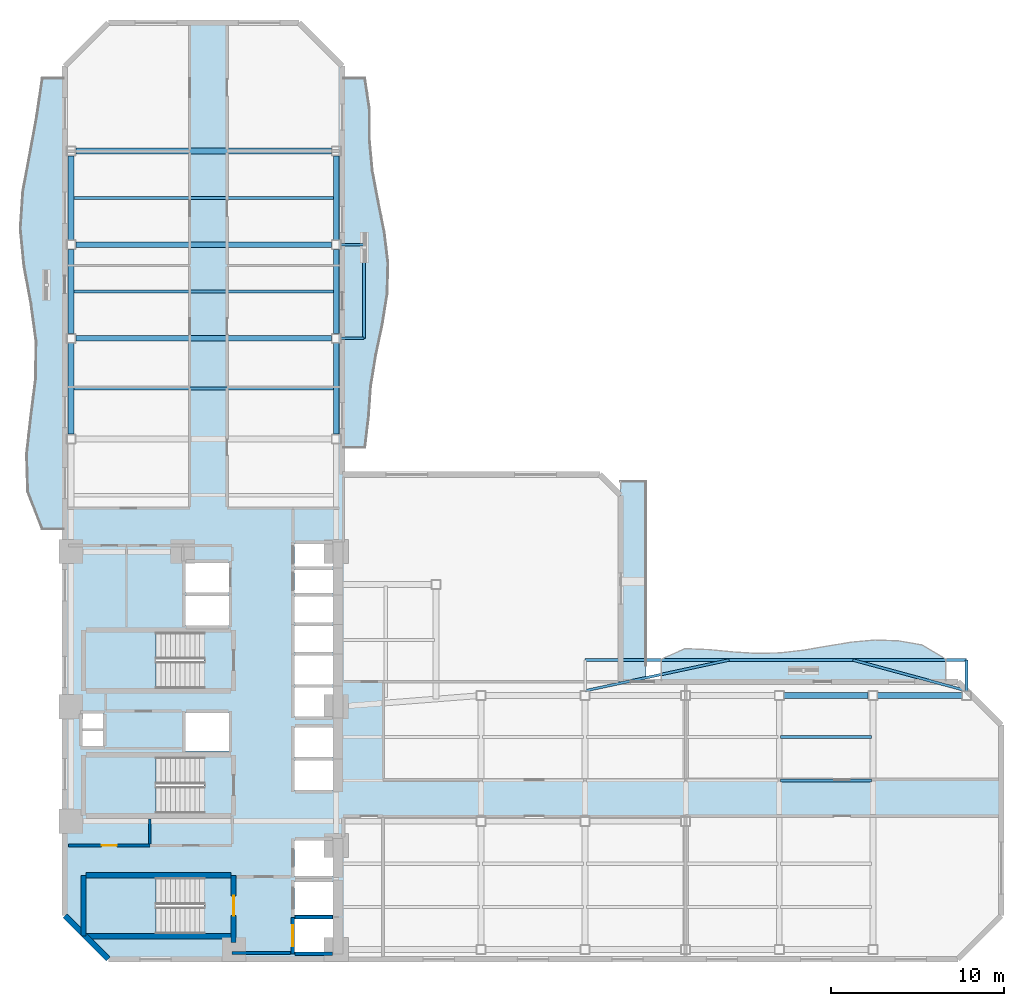
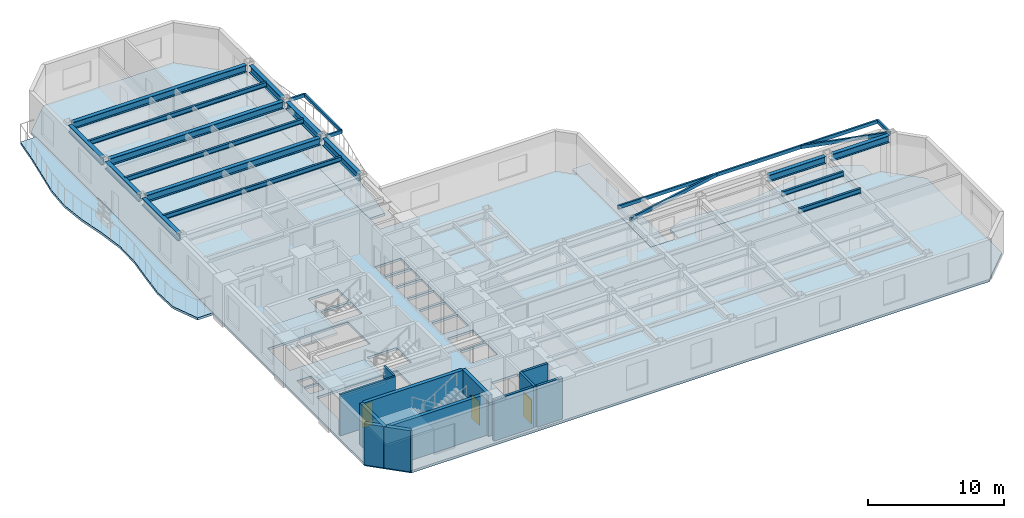
# One storey, part 2 of 10: 23 beams, 11 walls, 8 slabs, 3 doors, 3 openings, 3 elements without a shape of their own.
"""IFC4 building model written with IfcOpenShell, lengths in metres."""

from ifc_helpers import new_model, si_unit, direction, frame, frame_2d, origin, origin_2d, place, context, subcontext, project, spatial, polyline, rectangle, hollow_rectangle, i_section, outline, extrude, material, layer, layer_set, material_profile, profile_set, type_object, element, fill, aggregate, save


model = new_model("IFC4")

# Units and contexts
model_context = context("Model", 3, precision=1e-05, world=origin(), true_north=direction((0.0, 1.0)))
body_context = subcontext(model_context, "Body", "Model", "MODEL_VIEW")
ifc_project = project(units=[si_unit("LENGTHUNIT", "METRE"), si_unit("AREAUNIT", "SQUARE_METRE"), si_unit("VOLUMEUNIT", "CUBIC_METRE"), si_unit("PLANEANGLEUNIT", "RADIAN"), si_unit("MASSUNIT", "GRAM", prefix="KILO")], contexts=[model_context])

# Site, building, storey
site_placement = place(None, origin())
site = spatial("IfcSite", under=ifc_project, at=site_placement, CompositionType="ELEMENT")
building_placement = place(site_placement, origin())
building = spatial("IfcBuilding", under=site, at=building_placement, Name="Mawjaban Terraces University", CompositionType="ELEMENT")
storey_placement = place(building_placement, frame((0.0, 0.0, 42.699951171875)))
storey = spatial("IfcBuildingStorey", under=building, at=storey_placement, Name="L09", CompositionType="ELEMENT", Elevation=42.699951171875)

# Beams
ifc_material_1 = material(Name="Steel EN 10210-1 S355J2H", Category="steel")
ifc_material_profile_1 = material_profile(ifc_material_1, hollow_rectangle(XDim=0.14990234375, YDim=0.300048828125, WallThickness=0.012451171875, at=origin_2d()), Name="RHS300X150X12.5")
ifc_profile_set_1 = profile_set([ifc_material_profile_1], Name="Steel EN 10210-1 S355J2H")
beam_type_1 = type_object("IfcBeamType", Name="BalconyCantileverSpandrel_RHS", PredefinedType="SPANDREL", material=ifc_profile_set_1)
beam_1_placement = place(storey_placement, frame((74.0, 15.47509765625, 3.5400390625), z_axis=(0.0, 1.0, 0.0), x_axis=(-1.0, 0.0, 0.0)))
element("IfcBeam", 1, at=beam_1_placement, inside=storey, type_object=beam_type_1, Name="L09 Exterior Outrigger BAL-L10-N.2", PredefinedType="SPANDREL", context=body_context, shape_type="SweptSolid", body=[
    extrude(hollow_rectangle(XDim=0.14990234375, YDim=0.300048828125, WallThickness=0.012451171875, at=origin_2d()), origin(), (0.0, 0.0, 1.0), 1.77490234375),
])
beam_2_placement = place(storey_placement, frame((52.0, 17.25, 3.5400390625), z_axis=(1.0, 0.0, 0.0), x_axis=(0.0, 1.0, 0.0)))
element("IfcBeam", 2, at=beam_2_placement, inside=storey, type_object=beam_type_1, Name="L09 Exterior Edge Spandrel BAL-L10-N", PredefinedType="SPANDREL", context=body_context, shape_type="SweptSolid", body=[
    extrude(hollow_rectangle(XDim=0.14990234375, YDim=0.300048828125, WallThickness=0.012451171875, at=origin_2d()), origin(), (0.0, 0.0, 1.0), 22.0),
])
beam_3_placement = place(storey_placement, frame((52.0, 15.47509765625, 3.5400390625), z_axis=(0.977916279172, 0.208997011776, 0.0), x_axis=(-0.208997011776, 0.977916279172, 0.0)))
element("IfcBeam", 3, at=beam_3_placement, inside=storey, type_object=beam_type_1, Name="L09 Exterior Diagonal Strut BAL-L10-N.1", PredefinedType="SPANDREL", context=body_context, shape_type="SweptSolid", body=[
    extrude(hollow_rectangle(XDim=0.14990234375, YDim=0.300048828125, WallThickness=0.012451171875, at=origin_2d()), origin(), (0.0, 0.0, 1.0), 8.492431640625),
])
beam_4_placement = place(storey_placement, frame((74.0, 15.47509765625, 3.5400390625), z_axis=(-0.965240922253, 0.261361745494, 0.0), x_axis=(-0.261361745494, -0.965240922253, 0.0)))
element("IfcBeam", 4, at=beam_4_placement, inside=storey, type_object=beam_type_1, Name="L09 Exterior Diagonal Strut BAL-L10-N.2", PredefinedType="SPANDREL", context=body_context, shape_type="SweptSolid", body=[
    extrude(hollow_rectangle(XDim=0.14990234375, YDim=0.300048828125, WallThickness=0.012451171875, at=origin_2d()), origin(), (0.0, 0.0, 1.0), 6.791015625),
])
for number, where, z_axis, x_axis, name in (
    (5, (37.925048828125, 35.800048828125, 3.5400390625), (1.0, 0.0, 0.0), (0.0, 1.0, 0.0), "L09 Exterior Outrigger BAL-L10-E.1"),
    (6, (37.925048828125, 41.199951171875, 3.5400390625), (1.0, 0.0, 0.0), (0.0, 1.0, 0.0), "L09 Exterior Outrigger BAL-L10-E.2"),
):
    element("IfcBeam", number, at=place(storey_placement, frame(where, z_axis=z_axis, x_axis=x_axis)), inside=storey, type_object=beam_type_1, Name=name, PredefinedType="SPANDREL", context=body_context, shape_type="SweptSolid", body=[
        extrude(hollow_rectangle(XDim=0.14990234375, YDim=0.300048828125, WallThickness=0.012451171875, at=origin_2d()), origin(), (0.0, 0.0, 1.0), 1.324951171875),
    ])
beam_5_placement = place(storey_placement, frame((39.25, 35.800048828125, 3.5400390625), z_axis=(0.0, 1.0, 0.0), x_axis=(-1.0, 0.0, 0.0)))
element("IfcBeam", 7, at=beam_5_placement, inside=storey, type_object=beam_type_1, Name="L09 Exterior Edge Spandrel BAL-L10-E", PredefinedType="SPANDREL", context=body_context, shape_type="SweptSolid", body=[
    extrude(hollow_rectangle(XDim=0.14990234375, YDim=0.300048828125, WallThickness=0.012451171875, at=origin_2d()), origin(), (0.0, 0.0, 1.0), 5.39990234375),
])
ifc_material_2 = material(Name="Steel ASTM A572 Grade 50", Category="steel")
ifc_material_profile_2 = material_profile(ifc_material_2, i_section(OverallWidth=0.3291015625, OverallDepth=0.635009765625, WebThickness=0.017822265625, FlangeThickness=0.031005859375, at=origin_2d()), Name="W610X241")
ifc_profile_set_2 = profile_set([ifc_material_profile_2], Name="Steel ASTM A572 Grade 50")
beam_type_2 = type_object("IfcBeamType", Name="Beam_B_W610X241", PredefinedType="BEAM", material=ifc_profile_set_2)
beam_6_placement = place(storey_placement, frame((63.47509765625, 15.199951171875, 3.3720703125), z_axis=(1.0, 0.0, 0.0), x_axis=(0.0, 1.0, 0.0)))
element("IfcBeam", 8, at=beam_6_placement, inside=storey, type_object=beam_type_2, Name="L09 Beam BM-L09-EW-12", PredefinedType="BEAM", context=body_context, shape_type="SweptSolid", body=[
    extrude(i_section(OverallWidth=0.3291015625, OverallDepth=0.635009765625, WebThickness=0.017822265625, FlangeThickness=0.031005859375, at=origin_2d()), origin(), (0.0, 0.0, 1.0), 4.849853515625),
])
beam_7_placement = place(storey_placement, frame((68.875, 15.199951171875, 3.3720703125), z_axis=(1.0, 0.0, 0.0), x_axis=(0.0, 1.0, 0.0)))
element("IfcBeam", 9, at=beam_7_placement, inside=storey, type_object=beam_type_2, Name="L09 Beam BM-L09-EW-13", PredefinedType="BEAM", context=body_context, shape_type="SweptSolid", body=[
    extrude(i_section(OverallWidth=0.3291015625, OverallDepth=0.635009765625, WebThickness=0.017822265625, FlangeThickness=0.031005859375, at=origin_2d()), origin(), (0.0, 0.0, 1.0), 4.85009765625),
])
for number, where, z_axis, x_axis, name in (
    (10, (22.625, 35.800048828125, 3.3720703125), (1.0, 0.0, 0.0), (0.0, 1.0, 0.0), "L09 Beam BM-L09-EW-16"),
    (11, (22.625, 41.199951171875, 3.3720703125), (1.0, 0.0, 0.0), (0.0, 1.0, 0.0), "L09 Beam BM-L09-EW-17"),
    (12, (22.625, 46.60009765625, 3.3720703125), (1.0, 0.0, 0.0), (0.0, 1.0, 0.0), "L09 Beam BM-L09-EW-18"),
):
    element("IfcBeam", number, at=place(storey_placement, frame(where, z_axis=z_axis, x_axis=x_axis)), inside=storey, type_object=beam_type_2, Name=name, PredefinedType="BEAM", context=body_context, shape_type="SweptSolid", body=[
        extrude(i_section(OverallWidth=0.3291015625, OverallDepth=0.635009765625, WebThickness=0.017822265625, FlangeThickness=0.031005859375, at=origin_2d()), origin(), (0.0, 0.0, 1.0), 14.75),
    ])
beam_8_placement = place(storey_placement, frame((22.35009765625, 30.27490234375, 3.3720703125), z_axis=(0.0, 1.0, 0.0), x_axis=(-1.0, 0.0, 0.0)))
element("IfcBeam", 13, at=beam_8_placement, inside=storey, type_object=beam_type_2, Name="L09 Beam BM-L09-NS-04", PredefinedType="BEAM", context=body_context, shape_type="SweptSolid", body=[
    extrude(i_section(OverallWidth=0.3291015625, OverallDepth=0.635009765625, WebThickness=0.017822265625, FlangeThickness=0.031005859375, at=origin_2d()), origin(), (0.0, 0.0, 1.0), 5.25),
])
beam_9_placement = place(storey_placement, frame((22.35009765625, 36.074951171875, 3.3720703125), z_axis=(0.0, 1.0, 0.0), x_axis=(-1.0, 0.0, 0.0)))
element("IfcBeam", 14, at=beam_9_placement, inside=storey, type_object=beam_type_2, Name="L09 Beam BM-L09-NS-05", PredefinedType="BEAM", context=body_context, shape_type="SweptSolid", body=[
    extrude(i_section(OverallWidth=0.3291015625, OverallDepth=0.635009765625, WebThickness=0.017822265625, FlangeThickness=0.031005859375, at=origin_2d()), origin(), (0.0, 0.0, 1.0), 4.85009765625),
])
beam_10_placement = place(storey_placement, frame((22.35009765625, 41.47509765625, 3.3720703125), z_axis=(0.0, 1.0, 0.0), x_axis=(-1.0, 0.0, 0.0)))
element("IfcBeam", 15, at=beam_10_placement, inside=storey, type_object=beam_type_2, Name="L09 Beam BM-L09-NS-06", PredefinedType="BEAM", context=body_context, shape_type="SweptSolid", body=[
    extrude(i_section(OverallWidth=0.3291015625, OverallDepth=0.635009765625, WebThickness=0.017822265625, FlangeThickness=0.031005859375, at=origin_2d()), origin(), (0.0, 0.0, 1.0), 4.849853515625),
])
beam_11_placement = place(storey_placement, frame((37.64990234375, 30.27490234375, 3.3720703125), z_axis=(0.0, 1.0, 0.0), x_axis=(-1.0, 0.0, 0.0)))
element("IfcBeam", 16, at=beam_11_placement, inside=storey, type_object=beam_type_2, Name="L09 Beam BM-L09-NS-11", PredefinedType="BEAM", context=body_context, shape_type="SweptSolid", body=[
    extrude(i_section(OverallWidth=0.3291015625, OverallDepth=0.635009765625, WebThickness=0.017822265625, FlangeThickness=0.031005859375, at=origin_2d()), origin(), (0.0, 0.0, 1.0), 5.25),
])
beam_12_placement = place(storey_placement, frame((37.64990234375, 36.074951171875, 3.3720703125), z_axis=(0.0, 1.0, 0.0), x_axis=(-1.0, 0.0, 0.0)))
element("IfcBeam", 17, at=beam_12_placement, inside=storey, type_object=beam_type_2, Name="L09 Beam BM-L09-NS-12", PredefinedType="BEAM", context=body_context, shape_type="SweptSolid", body=[
    extrude(i_section(OverallWidth=0.3291015625, OverallDepth=0.635009765625, WebThickness=0.017822265625, FlangeThickness=0.031005859375, at=origin_2d()), origin(), (0.0, 0.0, 1.0), 4.85009765625),
])
beam_13_placement = place(storey_placement, frame((37.64990234375, 41.47509765625, 3.3720703125), z_axis=(0.0, 1.0, 0.0), x_axis=(-1.0, 0.0, 0.0)))
element("IfcBeam", 18, at=beam_13_placement, inside=storey, type_object=beam_type_2, Name="L09 Beam BM-L09-NS-13", PredefinedType="BEAM", context=body_context, shape_type="SweptSolid", body=[
    extrude(i_section(OverallWidth=0.3291015625, OverallDepth=0.635009765625, WebThickness=0.017822265625, FlangeThickness=0.031005859375, at=origin_2d()), origin(), (0.0, 0.0, 1.0), 4.849853515625),
])
ifc_material_profile_3 = material_profile(ifc_material_2, i_section(OverallWidth=0.179931640625, OverallDepth=0.4130859375, WebThickness=0.009765625, FlangeThickness=0.01611328125, at=origin_2d()), Name="W410X74")
ifc_profile_set_3 = profile_set([ifc_material_profile_3], Name="Steel ASTM A572 Grade 50")
beam_type_3 = type_object("IfcBeamType", Name="Beam_J_W410X74", PredefinedType="JOIST", material=ifc_profile_set_3)
for number, where, z_axis, x_axis, name in (
    (19, (63.280029296875, 10.300048828125, 3.484130859375), (1.0, 0.0, 0.0), (0.0, 1.0, 0.0), "L09 Composite Joist JST-L09-15"),
    (20, (63.280029296875, 12.800048828125, 3.484130859375), (1.0, 0.0, 0.0), (0.0, 1.0, 0.0), "L09 Composite Joist JST-L09-20"),
):
    element("IfcBeam", number, at=place(storey_placement, frame(where, z_axis=z_axis, x_axis=x_axis)), inside=storey, type_object=beam_type_3, Name=name, PredefinedType="JOIST", context=body_context, shape_type="SweptSolid", body=[
        extrude(i_section(OverallWidth=0.179931640625, OverallDepth=0.4130859375, WebThickness=0.009765625, FlangeThickness=0.01611328125, at=origin_2d()), origin(), (0.0, 0.0, 1.0), 5.239990234375),
    ])
for number, where, z_axis, x_axis, name in (
    (21, (22.429931640625, 32.89990234375, 3.484130859375), (1.0, 0.0, 0.0), (0.0, 1.0, 0.0), "L09 Composite Joist JST-L09-23"),
    (22, (22.429931640625, 38.5, 3.484130859375), (1.0, 0.0, 0.0), (0.0, 1.0, 0.0), "L09 Composite Joist JST-L09-24"),
    (23, (22.429931640625, 43.89990234375, 3.484130859375), (1.0, 0.0, 0.0), (0.0, 1.0, 0.0), "L09 Composite Joist JST-L09-25"),
):
    element("IfcBeam", number, at=place(storey_placement, frame(where, z_axis=z_axis, x_axis=x_axis)), inside=storey, type_object=beam_type_3, Name=name, PredefinedType="JOIST", context=body_context, shape_type="SweptSolid", body=[
        extrude(i_section(OverallWidth=0.179931640625, OverallDepth=0.4130859375, WebThickness=0.009765625, FlangeThickness=0.01611328125, at=origin_2d()), origin(), (0.0, 0.0, 1.0), 15.14013671875),
    ])

# Slabs
ifc_material_3 = material(Name="Concrete C40/50", Category="concrete")
ifc_layer_1 = layer(ifc_material_3, 0.2099609375)
ifc_layer_set_1 = layer_set([ifc_layer_1], Name="Concrete C40/50")
slab_type_1 = type_object("IfcSlabType", Name="BalconySlab_210_Ext", PredefinedType="FLOOR", material=ifc_layer_set_1)
slab_1_placement = place(storey_placement, frame((0.0, 0.0, -0.2099609375)))
element("IfcSlab", 24, at=slab_1_placement, inside=storey, type_object=slab_type_1, Name="L09 Planted Balcony Slab west", PredefinedType="FLOOR", context=body_context, shape_type="SweptSolid", body=[
    extrude(outline(polyline([(22.010009765625, 24.800048828125), (22.010009765625, 50.800048828125), (20.699951171875, 50.800048828125), (20.382080078125, 48.633056640625), (19.986083984375, 46.467041015625), (19.580078125, 44.300048828125), (19.43310546875, 42.133056640625), (19.64501953125, 39.967041015625), (20.050048828125, 37.800048828125), (20.340087890625, 35.633056640625), (20.31494140625, 33.467041015625), (20.0400390625, 31.300048828125), (19.7958984375, 29.133056640625), (19.860107421875, 26.967041015625), (20.699951171875, 24.800048828125), (22.010009765625, 24.800048828125)])), origin(), (0.0, 0.0, 1.0), 0.2099609375),
])
slab_2_placement = place(storey_placement, frame((0.0, 0.0, -0.2099609375)))
element("IfcSlab", 25, at=slab_2_placement, inside=storey, type_object=slab_type_1, Name="L09 Planted Balcony Slab inner_north", PredefinedType="FLOOR", context=body_context, shape_type="SweptSolid", body=[
    extrude(outline(polyline([(56.39990234375, 15.989990234375), (72.800048828125, 15.989990234375), (72.800048828125, 17.300048828125), (71.43310546875, 18.115966796875), (70.06689453125, 18.35595703125), (68.699951171875, 18.39990234375), (67.3330078125, 18.27490234375), (65.967041015625, 18.049072265625), (64.60009765625, 17.81494140625), (63.23291015625, 17.659912109375), (61.866943359375, 17.631103515625), (60.5, 17.718017578125), (59.133056640625, 17.84912109375), (57.76708984375, 17.903076171875), (56.39990234375, 17.300048828125), (56.39990234375, 15.989990234375)])), origin(), (0.0, 0.0, 1.0), 0.2099609375),
])
slab_3_placement = place(storey_placement, frame((0.0, 0.0, -0.2099609375)))
element("IfcSlab", 26, at=slab_3_placement, inside=storey, type_object=slab_type_1, Name="L09 Planted Balcony Slab inner_east", PredefinedType="FLOOR", context=body_context, shape_type="SweptSolid", body=[
    extrude(outline(polyline([(39.300048828125, 29.5), (39.511962890625, 31.27490234375), (39.635986328125, 33.050048828125), (39.929931640625, 34.824951171875), (40.303955078125, 36.60009765625), (40.5859375, 38.375), (40.634033203125, 40.14990234375), (40.424072265625, 41.925048828125), (40.06494140625, 43.699951171875), (39.73291015625, 45.47509765625), (39.56689453125, 47.25), (39.56494140625, 49.02490234375), (39.300048828125, 50.800048828125), (37.989990234375, 50.800048828125), (37.989990234375, 29.5), (39.300048828125, 29.5)])), origin(), (0.0, 0.0, 1.0), 0.2099609375),
])
ifc_layer_2 = layer(ifc_material_3, 0.2099609375)
ifc_layer_set_2 = layer_set([ifc_layer_2], Name="Concrete C40/50")
slab_type_2 = type_object("IfcSlabType", Name="CompositeSlab_210", PredefinedType="FLOOR", material=ifc_layer_set_2)
slab_4_placement = place(storey_placement, frame((0.0, 0.0, -0.2099609375)))
element("IfcSlab", 27, at=slab_4_placement, inside=storey, type_object=slab_type_2, Name="L09 Primary Structural Slab", PredefinedType="FLOOR", context=body_context, shape_type="SweptSolid", body=[
    extrude(outline(polyline([(24.5, 0.0), (73.5, 0.0), (76.0, 2.5), (76.0, 13.5), (73.5, 16.0), (54.050048828125, 16.0), (54.050048828125, 26.7470703125), (52.85009765625, 27.947021484375), (38.0, 27.947021484375), (38.0, 51.5), (35.5, 54.0), (24.5, 54.0), (22.0, 51.5), (22.0, 2.5), (24.5, 0.0)]), holes=[polyline([(30.014892578125, 4.699951171875), (23.199951171875, 4.699951171875), (23.199951171875, 1.449951171875), (30.014892578125, 1.449951171875), (30.014892578125, 4.699951171875)]), polyline([(30.014892578125, 18.85009765625), (23.199951171875, 18.85009765625), (23.199951171875, 15.60009765625), (30.014892578125, 15.60009765625), (30.014892578125, 18.85009765625)]), polyline([(30.014892578125, 11.64990234375), (23.199951171875, 11.64990234375), (23.199951171875, 8.39990234375), (30.014892578125, 8.39990234375), (30.014892578125, 11.64990234375)]), polyline([(35.25, 0.39990234375), (37.449951171875, 0.39990234375), (37.449951171875, 2.300048828125), (35.25, 2.300048828125), (35.25, 0.39990234375)]), polyline([(35.25, 2.550048828125), (37.449951171875, 2.550048828125), (37.449951171875, 4.449951171875), (35.25, 4.449951171875), (35.25, 2.550048828125)]), polyline([(35.25, 4.800048828125), (37.449951171875, 4.800048828125), (37.449951171875, 6.85009765625), (35.25, 6.85009765625), (35.25, 4.800048828125)]), polyline([(35.25, 9.75), (37.449951171875, 9.75), (37.449951171875, 11.449951171875), (35.25, 11.449951171875), (35.25, 9.75)]), polyline([(35.25, 11.64990234375), (37.449951171875, 11.64990234375), (37.449951171875, 13.35009765625), (35.25, 13.35009765625), (35.25, 11.64990234375)]), polyline([(28.949951171875, 12.0), (31.449951171875, 12.0), (31.449951171875, 14.199951171875), (28.949951171875, 14.199951171875), (28.949951171875, 12.0)]), polyline([(35.25, 14.0), (37.449951171875, 14.0), (37.449951171875, 15.64990234375), (35.25, 15.64990234375), (35.25, 14.0)]), polyline([(35.25, 15.85009765625), (37.449951171875, 15.85009765625), (37.449951171875, 17.5), (35.25, 17.5), (35.25, 15.85009765625)]), polyline([(35.25, 17.699951171875), (37.449951171875, 17.699951171875), (37.449951171875, 19.199951171875), (35.25, 19.199951171875), (35.25, 17.699951171875)]), polyline([(35.25, 19.39990234375), (37.449951171875, 19.39990234375), (37.449951171875, 20.89990234375), (35.25, 20.89990234375), (35.25, 19.39990234375)]), polyline([(28.949951171875, 19.25), (31.449951171875, 19.25), (31.449951171875, 20.949951171875), (28.949951171875, 20.949951171875), (28.949951171875, 19.25)]), polyline([(35.25, 21.10009765625), (37.449951171875, 21.10009765625), (37.449951171875, 22.449951171875), (35.25, 22.449951171875), (35.25, 21.10009765625)]), polyline([(35.25, 22.64990234375), (37.449951171875, 22.64990234375), (37.449951171875, 23.949951171875), (35.25, 23.949951171875), (35.25, 22.64990234375)]), polyline([(28.949951171875, 21.14990234375), (31.449951171875, 21.14990234375), (31.449951171875, 22.85009765625), (28.949951171875, 22.85009765625), (28.949951171875, 21.14990234375)]), polyline([(23.0, 12.25), (24.199951171875, 12.25), (24.199951171875, 13.14990234375), (23.0, 13.14990234375), (23.0, 12.25)]), polyline([(23.0, 13.300048828125), (24.199951171875, 13.300048828125), (24.199951171875, 14.179931640625), (23.0, 14.179931640625), (23.0, 13.300048828125)])]), origin(), (0.0, 0.0, 1.0), 0.2099609375),
])

# Stair, slab
stair_type = type_object("IfcStairType", Name="Stair_Core1550_H39", PredefinedType="HALF_TURN_STAIR", material=ifc_material_3)
stair_1_placement = place(storey_placement, origin())
stair_1 = element("IfcStair", 28, at=stair_1_placement, inside=storey, type_object=stair_type, Name="L09 Core Exit Stair 1", PredefinedType="HALF_TURN_STAIR")
ifc_layer_3 = layer(ifc_material_3, 0.199951171875)
ifc_layer_set_3 = layer_set([ifc_layer_3], Name="Concrete C40/50")
slab_type_3 = type_object("IfcSlabType", Name="StairLandingSlab_200", PredefinedType="LANDING", material=ifc_layer_set_3)
slab_5_placement = place(storey_placement, frame((0.0, 0.0, 1.75)))
slab_5 = element("IfcSlab", 29, at=slab_5_placement, type_object=slab_type_3, Name="ST-1 landing 1", PredefinedType="LANDING", context=body_context, shape_type="SweptSolid", body=[
    extrude(outline(polyline([(27.25, 4.699951171875), (23.199951171875, 4.699951171875), (23.199951171875, 1.449951171875), (27.25, 1.449951171875), (27.25, 4.699951171875)])), origin(), (0.0, 0.0, 1.0), 0.199951171875),
])
aggregate(stair_1, [slab_5])

stair_2_placement = place(storey_placement, origin())
stair_2 = element("IfcStair", 30, at=stair_2_placement, inside=storey, type_object=stair_type, Name="L09 Core Exit Stair 2", PredefinedType="HALF_TURN_STAIR")
slab_6_placement = place(storey_placement, frame((0.0, 0.0, 1.75)))
slab_6 = element("IfcSlab", 31, at=slab_6_placement, type_object=slab_type_3, Name="ST-2 landing 1", PredefinedType="LANDING", context=body_context, shape_type="SweptSolid", body=[
    extrude(outline(polyline([(27.25, 18.85009765625), (23.199951171875, 18.85009765625), (23.199951171875, 15.60009765625), (27.25, 15.60009765625), (27.25, 18.85009765625)])), origin(), (0.0, 0.0, 1.0), 0.199951171875),
])
aggregate(stair_2, [slab_6])

stair_3_placement = place(storey_placement, origin())
stair_3 = element("IfcStair", 32, at=stair_3_placement, inside=storey, type_object=stair_type, Name="L09 Core Exit Stair 3", PredefinedType="HALF_TURN_STAIR")
slab_7_placement = place(storey_placement, frame((0.0, 0.0, 1.75)))
slab_7 = element("IfcSlab", 33, at=slab_7_placement, type_object=slab_type_3, Name="ST-3 landing 1", PredefinedType="LANDING", context=body_context, shape_type="SweptSolid", body=[
    extrude(outline(polyline([(27.25, 11.64990234375), (23.199951171875, 11.64990234375), (23.199951171875, 8.39990234375), (27.25, 8.39990234375), (27.25, 11.64990234375)])), origin(), (0.0, 0.0, 1.0), 0.199951171875),
])
aggregate(stair_3, [slab_7])

# Slab
ifc_layer_4 = layer(ifc_material_3, 0.2099609375)
ifc_layer_set_4 = layer_set([ifc_layer_4], Name="Concrete C40/50")
slab_type_4 = type_object("IfcSlabType", Name="StudyTerraceSlab_210_Ext", PredefinedType="FLOOR", material=ifc_layer_set_4)
slab_8_placement = place(storey_placement, frame((0.0, 0.0, -0.2099609375)))
element("IfcSlab", 34, at=slab_8_placement, inside=storey, type_object=slab_type_4, Name="L09 Exterior Study Terrace Slab", PredefinedType="FLOOR", context=body_context, shape_type="SweptSolid", body=[
    extrude(outline(polyline([(54.050048828125, 16.0), (55.5, 16.0), (55.5, 27.547119140625), (54.050048828125, 27.547119140625), (54.050048828125, 16.0)])), origin(), (0.0, 0.0, 1.0), 0.2099609375),
])

# Wall, opening, door
ifc_material_4 = material(Name="Fire-rated gypsum board on steel stud", Category="steel")
ifc_layer_5 = layer(ifc_material_4, 0.159912109375)
ifc_layer_set_5 = layer_set([ifc_layer_5], Name="Fire-rated gypsum board on steel stud")
wall_type_1 = type_object("IfcWallType", Name="CorridorPartition_160", PredefinedType="PARTITIONING", material=ifc_layer_set_5)
wall_1_placement = place(storey_placement, frame((26.89990234375, 6.550048828125, 0.0), z_axis=(0.0, 0.0, 1.0), x_axis=(-1.0, 0.0, 0.0)))
wall_1 = element("IfcWall", 35, at=wall_1_placement, inside=storey, type_object=wall_type_1, Name="L09 Core Washroom Lobby Partition 4", PredefinedType="PARTITIONING", context=body_context, shape_type="SweptSolid", body=[
    extrude(rectangle(XDim=4.699951171875, YDim=0.159912109375, at=frame_2d((2.35009765625, 0.0))), origin(), (0.0, 0.0, 1.0), 3.68994140625),
])
opening_1_placement = place(wall_1_placement, frame((1.909912109375, 0.0, 0.0)))
opening_1 = element("IfcOpeningElement", 36, at=opening_1_placement, cuts=wall_1, Name="Opening ID-088", PredefinedType="OPENING", context=body_context, shape_type="SweptSolid", body=[
    extrude(rectangle(XDim=0.8798828125, YDim=2.10009765625, at=frame_2d((0.43994140625, 1.050048828125))), frame((0.0, 0.08984375, 0.0), z_axis=(0.0, -1.0, 0.0), x_axis=(1.0, 0.0, 0.0)), (0.0, 0.0, 1.0), 0.179931640625),
])
ifc_material_5 = material(Name="Powder-coated steel frame and solid acoustic timber leaf", Category="steel")
door_type_1 = type_object("IfcDoorType", Name="ToiletDoor_880x2100", OperationType="NOTDEFINED", PredefinedType="DOOR", material=ifc_material_5)
door_1_placement = place(opening_1_placement, origin())
door_1 = element("IfcDoor", 37, at=door_1_placement, inside=storey, type_object=door_type_1, Name="L09 Male Toilet Door", OperationType="SINGLE_SWING_RIGHT", OverallHeight=2.10009765625, OverallWidth=0.8798828125, PredefinedType="DOOR", context=body_context, shape_type="SweptSolid", body=[
    extrude(rectangle(XDim=0.8798828125, YDim=2.10009765625, at=frame_2d((0.43994140625, 1.050048828125))), frame((0.0, 0.02490234375, 0.0), z_axis=(0.0, -1.0, 0.0), x_axis=(1.0, 0.0, 0.0)), (0.0, 0.0, 1.0), 0.050048828125),
])
fill(opening_1, door_1)

# Wall
ifc_material_6 = material(Name="Insulated terracotta rainscreen on concrete backup C40/50", Category="masonry")
ifc_layer_6 = layer(ifc_material_6, 0.320068359375)
ifc_layer_set_6 = layer_set([ifc_layer_6], Name="Insulated terracotta rainscreen on concrete backup C40/50")
wall_type_2 = type_object("IfcWallType", Name="ExtTerracottaWall_320", PredefinedType="SOLIDWALL", material=ifc_layer_set_6)
wall_2_placement = place(storey_placement, frame((22.0, 2.5, 0.0), z_axis=(0.0, 0.0, 1.0), x_axis=(0.707106781187, -0.707106781187, 0.0)))
element("IfcWall", 38, at=wall_2_placement, inside=storey, type_object=wall_type_2, Name="L09 Exterior Terracotta Wall 14", PredefinedType="SOLIDWALL", context=body_context, shape_type="SweptSolid", body=[
    extrude(rectangle(XDim=3.53564453125, YDim=0.320068359375, at=frame_2d((1.767822265625, 0.0))), origin(), (0.0, 0.0, 1.0), 3.68994140625),
])

# Wall, opening, door
ifc_layer_7 = layer(ifc_material_3, 0.199951171875)
ifc_layer_set_7 = layer_set([ifc_layer_7], Name="Concrete C40/50")
wall_type_3 = type_object("IfcWallType", Name="FireLobbyWall_200", PredefinedType="SOLIDWALL", material=ifc_layer_set_7)
wall_3_placement = place(storey_placement, frame((35.14990234375, 2.39990234375, 0.0), z_axis=(0.0, 0.0, 1.0), x_axis=(0.0, -1.0, 0.0)))
wall_3 = element("IfcWall", 39, at=wall_3_placement, inside=storey, type_object=wall_type_3, Name="L09 Lift FL-1 Hoistway Wall West", PredefinedType="SOLIDWALL", context=body_context, shape_type="SweptSolid", body=[
    extrude(rectangle(XDim=2.099853515625, YDim=0.199951171875, at=frame_2d((1.0498046875, 0.0))), origin(), (0.0, 0.0, 1.0), 3.68994140625),
])
opening_2_placement = place(wall_3_placement, frame((0.449951171875, 0.0, 0.0)))
opening_2 = element("IfcOpeningElement", 40, at=opening_2_placement, cuts=wall_3, Name="Opening LD-FL-1", PredefinedType="OPENING", context=body_context, shape_type="SweptSolid", body=[
    extrude(rectangle(XDim=1.199951171875, YDim=2.14990234375, at=frame_2d((0.60009765625, 1.074951171875))), frame((0.0, 0.10986328125, 0.0), z_axis=(0.0, -1.0, 0.0), x_axis=(1.0, 0.0, 0.0)), (0.0, 0.0, 1.0), 0.219970703125),
])
ifc_material_7 = material(Name="Powder-coated steel frame and fire-rated steel-faced leaf", Category="steel")
door_type_2 = type_object("IfcDoorType", Name="LiftLandingFSAE_1200x2150", OperationType="NOTDEFINED", PredefinedType="DOOR", material=ifc_material_7)
door_2_placement = place(opening_2_placement, origin())
door_2 = element("IfcDoor", 41, at=door_2_placement, inside=storey, type_object=door_type_2, Name="L09 Lift FL-1 Sliding Landing Door", OperationType="DOUBLE_DOOR_SLIDING", OverallHeight=2.14990234375, OverallWidth=1.199951171875, PredefinedType="DOOR", context=body_context, shape_type="SweptSolid", body=[
    extrude(rectangle(XDim=1.199951171875, YDim=2.14990234375, at=frame_2d((0.60009765625, 1.074951171875))), frame((0.0, 0.02490234375, 0.0), z_axis=(0.0, -1.0, 0.0), x_axis=(1.0, 0.0, 0.0)), (0.0, 0.0, 1.0), 0.050048828125),
])
fill(opening_2, door_2)

# Walls
for number, where, z_axis, x_axis, name in (
    (42, (35.280029296875, 0.300048828125, 0.0), (0.0, 0.0, 1.0), (1.0, 0.0, 0.0), "L09 Lift FL-1 Hoistway Wall South"),
    (43, (37.419921875, 2.39990234375, 0.0), (0.0, 0.0, 1.0), (-1.0, 0.0, 0.0), "L09 Lift FL-1 Hoistway Wall North"),
):
    element("IfcWall", number, at=place(storey_placement, frame(where, z_axis=z_axis, x_axis=x_axis)), inside=storey, type_object=wall_type_3, Name=name, PredefinedType="SOLIDWALL", context=body_context, shape_type="SweptSolid", body=[
        extrude(rectangle(XDim=2.139892578125, YDim=0.199951171875, at=frame_2d((1.06982421875, 0.0))), origin(), (0.0, 0.0, 1.0), 3.68994140625),
    ])
wall_4_placement = place(storey_placement, frame((31.64990234375, 0.35009765625, 0.0), z_axis=(0.0, 0.0, 1.0), x_axis=(1.0, 0.0, 0.0)))
element("IfcWall", 44, at=wall_4_placement, inside=storey, type_object=wall_type_3, Name="L09 Firefighting Lift Lobby Partition 11", PredefinedType="SOLIDWALL", context=body_context, shape_type="SweptSolid", body=[
    extrude(rectangle(XDim=3.3701171875, YDim=0.199951171875, at=frame_2d((1.68505859375, 0.0))), origin(), (0.0, 0.0, 1.0), 3.68994140625),
])
ifc_material_8 = material(Name="Concrete C60/75", Category="concrete")
ifc_layer_8 = layer(ifc_material_8, 0.300048828125)
ifc_layer_set_8 = layer_set([ifc_layer_8], Name="Concrete C60/75")
wall_type_4 = type_object("IfcWallType", Name="StairShaftWall_300", PredefinedType="SHEAR", material=ifc_layer_set_8)
wall_5_placement = place(storey_placement, frame((31.580078125, 4.830078125, 0.0), z_axis=(0.0, 0.0, 1.0), x_axis=(-1.0, 0.0, 0.0)))
element("IfcWall", 45, at=wall_5_placement, inside=storey, type_object=wall_type_4, Name="L09 ST-1 Stair Shaft Wall 1", PredefinedType="SHEAR", context=body_context, shape_type="SweptSolid", body=[
    extrude(rectangle(XDim=8.360107421875, YDim=0.300048828125, at=frame_2d((4.18017578125, 0.0))), origin(), (0.0, 0.0, 1.0), 3.68994140625),
])
wall_6_placement = place(storey_placement, frame((23.070068359375, 4.830078125, 0.0), z_axis=(0.0, 0.0, 1.0), x_axis=(0.0, -1.0, 0.0)))
element("IfcWall", 46, at=wall_6_placement, inside=storey, type_object=wall_type_4, Name="L09 ST-1 Stair Shaft Wall 2", PredefinedType="SHEAR", context=body_context, shape_type="SweptSolid", body=[
    extrude(rectangle(XDim=3.510009765625, YDim=0.300048828125, at=frame_2d((1.7548828125, 0.0))), origin(), (0.0, 0.0, 1.0), 3.68994140625),
])
wall_7_placement = place(storey_placement, frame((23.219970703125, 1.320068359375, 0.0), z_axis=(0.0, 0.0, 1.0), x_axis=(1.0, 0.0, 0.0)))
element("IfcWall", 47, at=wall_7_placement, inside=storey, type_object=wall_type_4, Name="L09 ST-1 Stair Shaft Wall 3", PredefinedType="SHEAR", context=body_context, shape_type="SweptSolid", body=[
    extrude(rectangle(XDim=8.360107421875, YDim=0.300048828125, at=frame_2d((4.18017578125, 0.0))), origin(), (0.0, 0.0, 1.0), 3.68994140625),
])

# Wall, opening, door
wall_8_placement = place(storey_placement, frame((31.72998046875, 0.9599609375, 0.0), z_axis=(0.0, 0.0, 1.0), x_axis=(0.0, 1.0, 0.0)))
wall_8 = element("IfcWall", 48, at=wall_8_placement, inside=storey, type_object=wall_type_4, Name="L09 ST-1 Stair Shaft Wall 4", PredefinedType="SHEAR", context=body_context, shape_type="SweptSolid", body=[
    extrude(rectangle(XDim=3.8701171875, YDim=0.300048828125, at=frame_2d((1.93505859375, 0.0))), origin(), (0.0, 0.0, 1.0), 3.68994140625),
])
opening_3_placement = place(wall_8_placement, frame((1.5400390625, 0.0, 0.0)))
opening_3 = element("IfcOpeningElement", 49, at=opening_3_placement, cuts=wall_8, Name="Opening FD-115", PredefinedType="OPENING", context=body_context, shape_type="SweptSolid", body=[
    extrude(rectangle(XDim=1.14990234375, YDim=2.14990234375, at=frame_2d((0.574951171875, 1.074951171875))), frame((0.0, 0.159912109375, 0.0), z_axis=(0.0, -1.0, 0.0), x_axis=(1.0, 0.0, 0.0)), (0.0, 0.0, 1.0), 0.320068359375),
])
door_type_3 = type_object("IfcDoorType", Name="FireStairDoor_1150x2150", OperationType="NOTDEFINED", PredefinedType="DOOR", material=ifc_material_7)
door_3_placement = place(opening_3_placement, origin())
door_3 = element("IfcDoor", 50, at=door_3_placement, inside=storey, type_object=door_type_3, Name="L09 ST-1 Pressurised Stair Fire Door", OperationType="SINGLE_SWING_RIGHT", OverallHeight=2.14990234375, OverallWidth=1.14990234375, PredefinedType="DOOR", context=body_context, shape_type="SweptSolid", body=[
    extrude(rectangle(XDim=1.14990234375, YDim=2.14990234375, at=frame_2d((0.574951171875, 1.074951171875))), frame((0.0, 0.02490234375, 0.0), z_axis=(0.0, -1.0, 0.0), x_axis=(1.0, 0.0, 0.0)), (0.0, 0.0, 1.0), 0.050048828125),
])
fill(opening_3, door_3)

# Wall
ifc_material_9 = material(Name="Cement-board wet-room partition", Category="masonry")
ifc_layer_9 = layer(ifc_material_9, 0.135009765625)
ifc_layer_set_9 = layer_set([ifc_layer_9], Name="Cement-board wet-room partition")
wall_type_5 = type_object("IfcWallType", Name="WetRoomPartition_135", PredefinedType="PARTITIONING", material=ifc_layer_set_9)
wall_9_placement = place(storey_placement, frame((26.89990234375, 6.625, 0.0), z_axis=(0.0, 0.0, 1.0), x_axis=(0.0, 1.0, 0.0)))
element("IfcWall", 51, at=wall_9_placement, inside=storey, type_object=wall_type_5, Name="L09 Male Toilet Partition 28", PredefinedType="PARTITIONING", context=body_context, shape_type="SweptSolid", body=[
    extrude(rectangle(XDim=1.465087890625, YDim=0.135009765625, at=frame_2d((0.732421875, 0.0))), origin(), (0.0, 0.0, 1.0), 3.68994140625),
])

save(model, "model.ifc")
